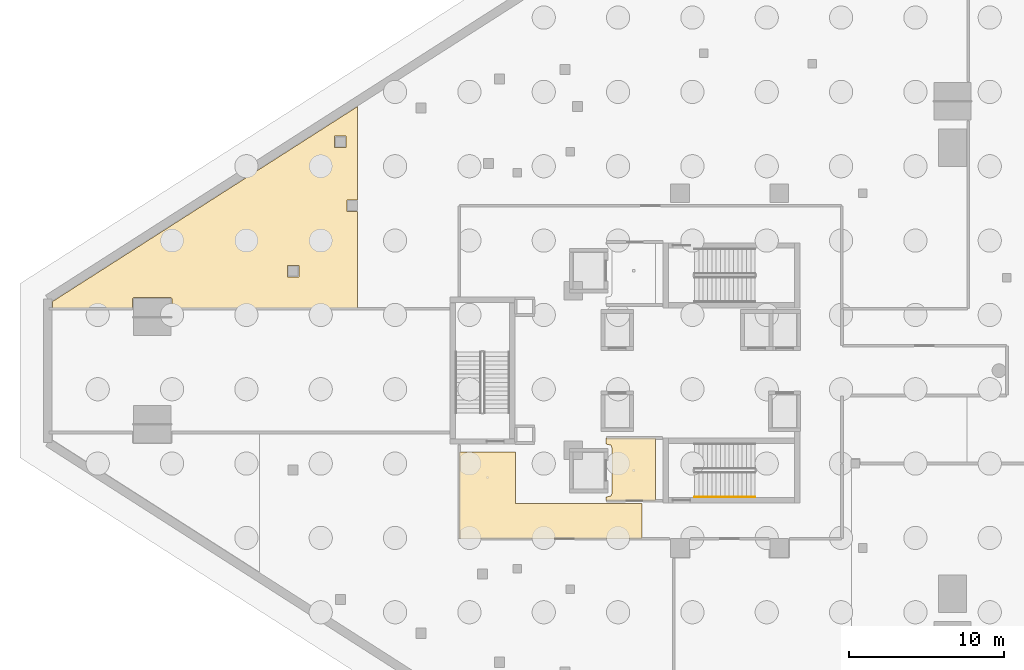
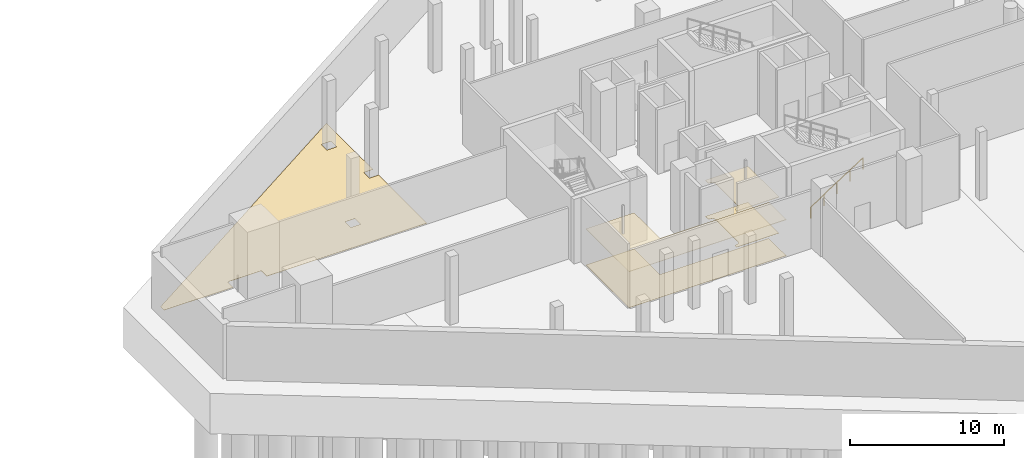
# One storey, part 17 of 22: 5 coverings, 1 railing.
"""IFC4 building model written with IfcOpenShell, lengths in metres."""

from ifc_helpers import new_model, si_unit, direction, frame, origin, origin_2d, place, context, subcontext, project, spatial, polyline, circle, outline, extrude, material, layer, layer_set, type_object, element, save


model = new_model("IFC4")

# Units and contexts
model_context = context("Model", 3, precision=1e-05, world=origin(), true_north=direction((0.0, 1.0)))
body_context = subcontext(model_context, "Body", "Model", "MODEL_VIEW")
ifc_project = project(units=[si_unit("LENGTHUNIT", "METRE"), si_unit("AREAUNIT", "SQUARE_METRE"), si_unit("VOLUMEUNIT", "CUBIC_METRE"), si_unit("PLANEANGLEUNIT", "RADIAN"), si_unit("MASSUNIT", "GRAM", prefix="KILO")], contexts=[model_context])

# Site, building, storey
site_placement = place(None, origin())
site = spatial("IfcSite", under=ifc_project, at=site_placement, CompositionType="ELEMENT")
building_placement = place(site_placement, origin())
building = spatial("IfcBuilding", under=site, at=building_placement, Name="Qorvath Tower", CompositionType="ELEMENT")
storey_placement = place(building_placement, frame((0.0, 0.0, -5.39990234375)))
storey = spatial("IfcBuildingStorey", under=building, at=storey_placement, Name="B01", CompositionType="ELEMENT", Elevation=-5.39990234375)

# Coverings
ifc_material_1 = material(Name="Acoustic mineral fibre ceiling tile", Category="gypsum")
ifc_layer_1 = layer(ifc_material_1, 0.030029296875)
ifc_layer_set_1 = layer_set([ifc_layer_1], Name="COV-CEIL")
covering_type_1 = type_object("IfcCoveringType", Name="COV-CEIL", PredefinedType="CEILING", material=ifc_layer_set_1)
covering_1_placement = place(storey_placement, frame((0.0, 0.0, 2.849853515625)))
element("IfcCovering", 1, at=covering_1_placement, inside=storey, type_object=covering_type_1, Name="B01 Suspended Acoustic Ceiling 002", PredefinedType="CEILING", context=body_context, shape_type="SweptSolid", body=[
    extrude(outline(polyline([(-25.18994140625, -8.39501953125), (-25.18994140625, -4.35498046875), (-28.375, -4.35498046875), (-28.375, -4.739990234375), (-28.063232421875, -4.813232421875), (-27.989990234375, -4.989990234375), (-27.989990234375, -7.909912109375), (-28.063232421875, -8.086669921875), (-28.375, -8.159912109375), (-28.375, -8.39501953125), (-25.18994140625, -8.39501953125)])), origin(), (0.0, 0.0, 1.0), 0.030029296875),
])
covering_2_placement = place(storey_placement, frame((0.0, 0.0, 2.849853515625)))
element("IfcCovering", 2, at=covering_2_placement, inside=storey, type_object=covering_type_1, Name="B01 Suspended Acoustic Ceiling 003", PredefinedType="CEILING", context=body_context, shape_type="SweptSolid", body=[
    extrude(outline(polyline([(-34.22509765625, -8.580078125), (-34.22509765625, -5.239990234375), (-37.844970703125, -5.239990234375), (-37.844970703125, -10.844970703125), (-26.06494140625, -10.844970703125), (-26.06494140625, -8.57470703125), (-34.22509765625, -8.580078125)])), origin(), (0.0, 0.0, 1.0), 0.030029296875),
])
ifc_material_2 = material(Name="Polished epoxy terrazzo flooring", Category="concrete")
ifc_layer_2 = layer(ifc_material_2, 0.02001953125)
ifc_layer_set_2 = layer_set([ifc_layer_2], Name="COV-FLOOR-TRZ")
covering_type_2 = type_object("IfcCoveringType", Name="COV-FLOOR-TRZ", PredefinedType="FLOORING", material=ifc_layer_set_2)
covering_3_placement = place(storey_placement, origin())
element("IfcCovering", 3, at=covering_3_placement, inside=storey, type_object=covering_type_2, Name="B01 Floor Finish 002", PredefinedType="FLOORING", context=body_context, shape_type="SweptSolid", body=[
    extrude(outline(polyline([(-25.18994140625, -8.39501953125), (-25.18994140625, -4.35498046875), (-28.375, -4.35498046875), (-28.375, -4.739990234375), (-28.063232421875, -4.813232421875), (-27.989990234375, -4.989990234375), (-27.989990234375, -7.909912109375), (-28.063232421875, -8.086669921875), (-28.375, -8.159912109375), (-28.375, -8.39501953125), (-25.18994140625, -8.39501953125)])), origin(), (0.0, 0.0, 1.0), 0.014892578125),
])
covering_4_placement = place(storey_placement, origin())
element("IfcCovering", 4, at=covering_4_placement, inside=storey, type_object=covering_type_2, Name="B01 Floor Finish 003", PredefinedType="FLOORING", context=body_context, shape_type="SweptSolid", body=[
    extrude(outline(polyline([(-34.22509765625, -8.580078125), (-34.22509765625, -5.239990234375), (-37.844970703125, -5.239990234375), (-37.844970703125, -10.844970703125), (-26.06494140625, -10.844970703125), (-26.06494140625, -8.57470703125), (-34.22509765625, -8.580078125)])), origin(), (0.0, 0.0, 1.0), 0.014892578125),
])
covering_5_placement = place(storey_placement, origin())
element("IfcCovering", 5, at=covering_5_placement, inside=storey, type_object=covering_type_2, Name="B01 Floor Finish 004", PredefinedType="FLOORING", context=body_context, shape_type="SweptSolid", body=[
    extrude(outline(polyline([(-44.4111328125, 4.0048828125), (-44.4111328125, 10.284912109375), (-45.103759765625, 10.284912109375), (-45.103759765625, 11.019775390625), (-44.4111328125, 11.019775390625), (-44.4111328125, 17.0625), (-64.1142578125, 4.4697265625), (-64.1142578125, 4.0048828125), (-58.93994140625, 4.0048828125), (-58.93994140625, 4.656005859375), (-58.8798828125, 4.716064453125), (-56.47998046875, 4.716064453125), (-56.419921875, 4.656005859375), (-56.419921875, 4.0048828125), (-44.4111328125, 4.0048828125)]), holes=[polyline([(-45.90380859375, 15.14208984375), (-45.1689453125, 15.14208984375), (-45.1689453125, 14.4072265625), (-45.90380859375, 14.4072265625), (-45.90380859375, 15.14208984375)]), polyline([(-48.94580078125, 6.7919921875), (-48.2109375, 6.7919921875), (-48.2109375, 6.05712890625), (-48.94580078125, 6.05712890625), (-48.94580078125, 6.7919921875)])]), origin(), (0.0, 0.0, 1.0), 0.014892578125),
])

# Railing
ifc_material_3 = material(Name="Brushed stainless steel AISI 304", Category="steel")
railing_type = type_object("IfcRailingType", Name="RL-STR-HND", PredefinedType="HANDRAIL", material=ifc_material_3)
railing_placement = place(storey_placement, frame((-22.669921875, -8.14990234375, 0.179931640625)))
element("IfcRailing", 6, at=railing_placement, inside=storey, type_object=railing_type, Name="B01 TS2 stair handrail 1", PredefinedType="HANDRAIL", context=body_context, shape_type="SweptSolid", body=[
    extrude(circle(Radius=0.02392578125, at=origin_2d()), frame((0.0, 0.0, 0.8759765625), z_axis=(0.841171666519, 0.0, 0.540768182723), x_axis=(0.0, 1.0, 0.0)), (0.0, 0.0, 1.0), 4.66015625),
    extrude(circle(Radius=0.02099609375, at=origin_2d()), origin(), (0.0, 0.0, 1.0), 0.851806640625),
    extrude(circle(Radius=0.02099609375, at=origin_2d()), frame((0.97998046875, 0.0, 0.6298828125)), (0.0, 0.0, 1.0), 0.851806640625),
    extrude(circle(Radius=0.02099609375, at=origin_2d()), frame((1.9599609375, 0.0, 1.260009765625)), (0.0, 0.0, 1.0), 0.851806640625),
    extrude(circle(Radius=0.02099609375, at=origin_2d()), frame((2.93994140625, 0.0, 1.89013671875)), (0.0, 0.0, 1.0), 0.851806640625),
    extrude(circle(Radius=0.02099609375, at=origin_2d()), frame((3.919921875, 0.0, 2.52001953125)), (0.0, 0.0, 1.0), 0.851806640625),
])

save(model, "model.ifc")
